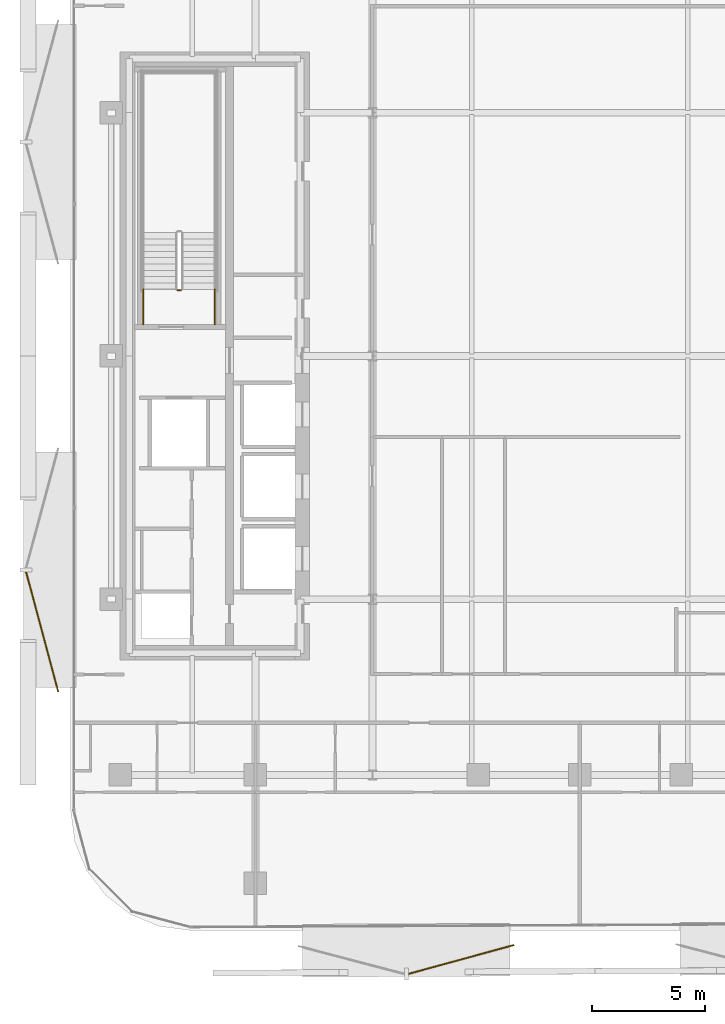
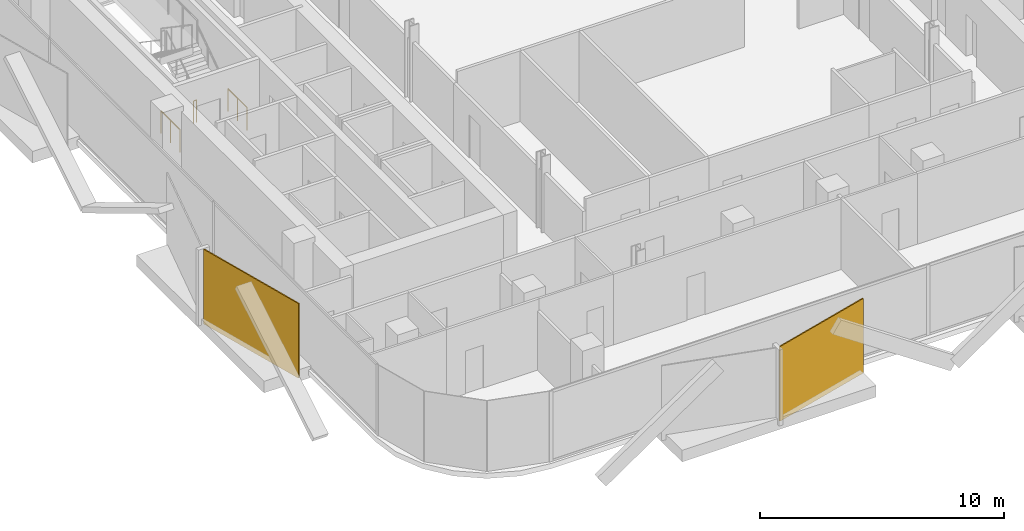
# One storey, part 13 of 17: 3 railings, 2 coverings.
"""IFC4 building model written with IfcOpenShell, lengths in metres."""

from ifc_helpers import new_model, si_unit, direction, frame, origin, origin_2d, place, context, subcontext, project, spatial, rectangle, circle, extrude, material, layer, layer_set, type_object, element, save


model = new_model("IFC4")

# Units and contexts
model_context = context("Model", 3, precision=1e-05, world=origin(), true_north=direction((0.0, 1.0)))
body_context = subcontext(model_context, "Body", "Model", "MODEL_VIEW")
ifc_project = project(units=[si_unit("LENGTHUNIT", "METRE"), si_unit("AREAUNIT", "SQUARE_METRE"), si_unit("VOLUMEUNIT", "CUBIC_METRE"), si_unit("PLANEANGLEUNIT", "RADIAN"), si_unit("MASSUNIT", "GRAM", prefix="KILO")], contexts=[model_context])

# Site, building, storey
site_placement = place(None, origin())
site = spatial("IfcSite", under=ifc_project, at=site_placement, CompositionType="ELEMENT")
building_placement = place(site_placement, origin())
building = spatial("IfcBuilding", under=site, at=building_placement, Name="Khairoan Windgate Tower", CompositionType="ELEMENT")
storey_placement = place(building_placement, frame((0.0, 0.0, 172.60009765625)))
storey = spatial("IfcBuildingStorey", under=building, at=storey_placement, Name="L39", CompositionType="ELEMENT", Elevation=172.60009765625)

# Coverings
ifc_material_1 = material(Name="Anodised Bronze Aluminium 6063-T6", Category="aluminium")
ifc_layer = layer(ifc_material_1, 0.054931640625, Name="Anodised Bronze Aluminium 6063-T6")
ifc_layer_set = layer_set([ifc_layer], Name="Anodised Bronze Aluminium 6063-T6")
covering_type = type_object("IfcCoveringType", Name="Perforated Bronze-Ceramic Folded Solar Screen Cladding BSC-1", PredefinedType="CLADDING", material=ifc_layer_set)
covering_1_placement = place(storey_placement, frame((-5.264404296875, -26.791748046875, -0.10009765625), z_axis=(0.0, 0.0, 1.0), x_axis=(-0.964649468762, -0.263536339841, 0.0)))
element("IfcCovering", 1, at=covering_1_placement, inside=storey, type_object=covering_type, Name="L39 Folded Bronze Solar Screen Facet 250L", PredefinedType="CLADDING", context=body_context, shape_type="SweptSolid", body=[
    extrude(rectangle(XDim=4.861083984375, YDim=0.054931640625, at=origin_2d()), origin(), (0.0, 0.0, 1.0), 3.739990234375),
])
covering_2_placement = place(storey_placement, frame((-23.8671875, -12.2451171875, -0.10009765625), z_axis=(0.0, 0.0, 1.0), x_axis=(-0.258819045103, 0.965925826289, 0.0)))
element("IfcCovering", 2, at=covering_2_placement, inside=storey, type_object=covering_type, Name="L39 Folded Bronze Solar Screen Facet 251L", PredefinedType="CLADDING", context=body_context, shape_type="SweptSolid", body=[
    extrude(rectangle(XDim=5.507080078125, YDim=0.054931640625, at=origin_2d()), origin(), (0.0, 0.0, 1.0), 3.739990234375),
])

# Railings
ifc_material_2 = material(Name="Steel S355", Category="steel")
railing_type = type_object("IfcRailingType", Name="Stairwell Safety Guardrail SGR-1150", PredefinedType="GUARDRAIL", material=ifc_material_2)
railing_placement = place(storey_placement, frame((-17.7099609375, 2.909912109375, 0.0)))
element("IfcRailing", 3, at=railing_placement, inside=storey, type_object=railing_type, Name="L39 ST2 stair guard 7", PredefinedType="GUARDRAIL", context=body_context, shape_type="SweptSolid", body=[
    extrude(circle(Radius=0.02392578125, at=origin_2d()), frame((0.0, 0.0, 1.1259765625), z_axis=(-1.0, 0.0, 0.0), x_axis=(0.0, -1.0, 0.0)), (0.0, 0.0, 1.0), 0.150146484375),
    extrude(circle(Radius=0.02099609375, at=origin_2d()), origin(), (0.0, 0.0, 1.0), 1.101806640625),
    extrude(circle(Radius=0.02099609375, at=origin_2d()), frame((-0.150146484375, 0.0, 0.0)), (0.0, 0.0, 1.0), 1.101806640625),
])
for number, where, name in (
    (4, (-16.199951171875, 1.39990234375, 0.0), "L39 ST2 stair guard 8"),
    (5, (-19.3701171875, 1.39990234375, 0.0), "L39 ST2 stair guard 9"),
):
    element("IfcRailing", number, at=place(storey_placement, frame(where)), inside=storey, type_object=railing_type, Name=name, PredefinedType="GUARDRAIL", context=body_context, shape_type="SweptSolid", body=[
        extrude(circle(Radius=0.02392578125, at=origin_2d()), frame((0.0, 0.0, 1.1259765625), z_axis=(0.0, 1.0, 0.0), x_axis=(-1.0, 0.0, 0.0)), (0.0, 0.0, 1.0), 1.56005859375),
        extrude(circle(Radius=0.02099609375, at=origin_2d()), origin(), (0.0, 0.0, 1.0), 1.101806640625),
        extrude(circle(Radius=0.02099609375, at=origin_2d()), frame((0.0, 0.780029296875, 0.0)), (0.0, 0.0, 1.0), 1.101806640625),
        extrude(circle(Radius=0.02099609375, at=origin_2d()), frame((0.0, 1.56005859375, 0.0)), (0.0, 0.0, 1.0), 1.101806640625),
    ])

save(model, "model.ifc")
